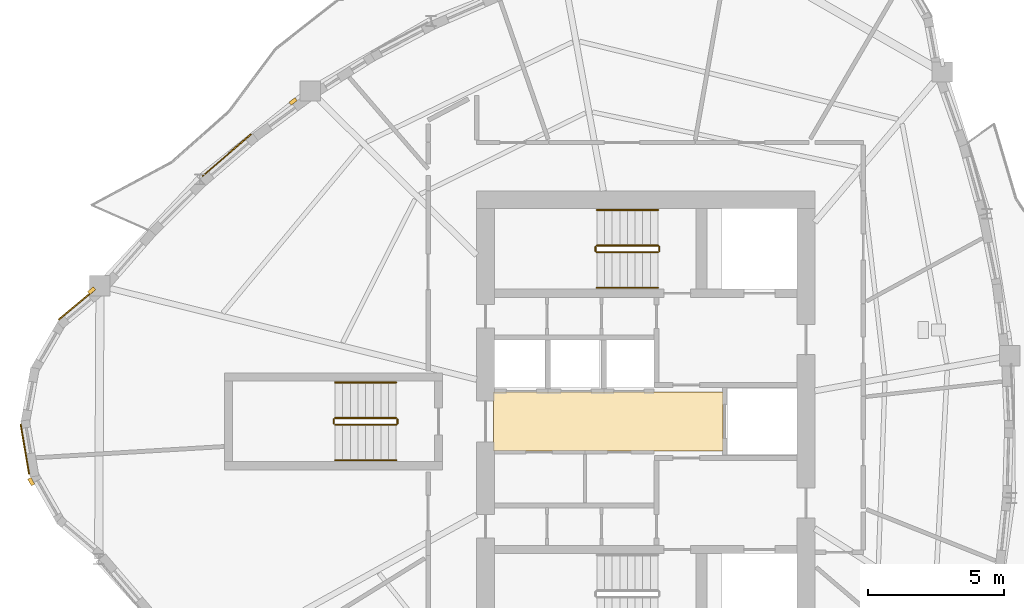
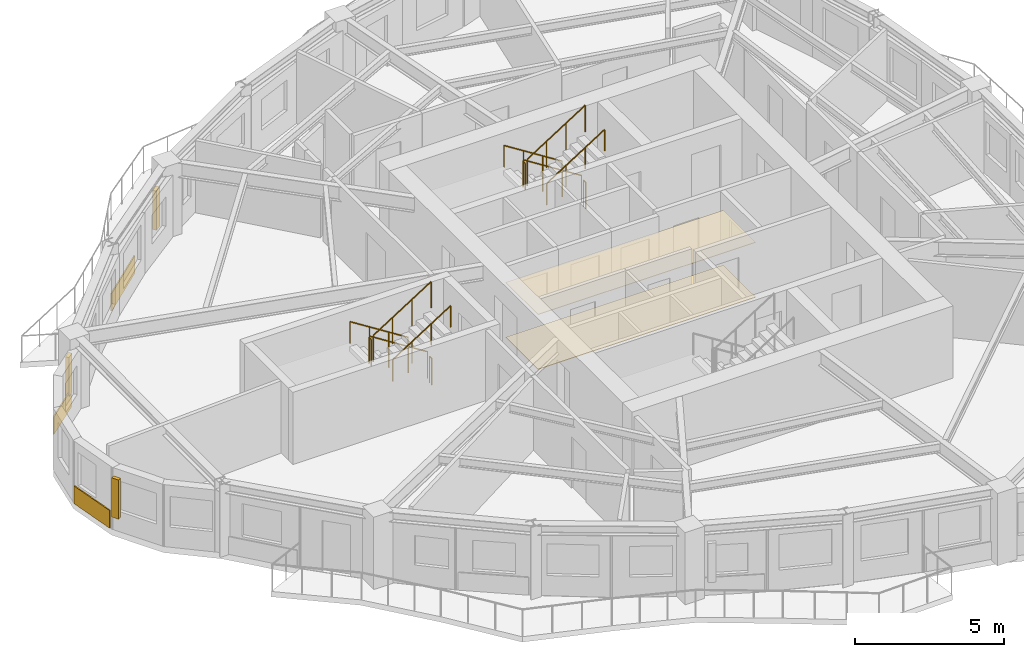
# One storey, part 10 of 12: 12 railings, 5 coverings, 3 shading devices.
"""IFC4 building model written with IfcOpenShell, lengths in metres."""

from ifc_helpers import new_model, si_unit, direction, frame, origin, origin_2d, place, context, subcontext, project, spatial, polyline, rectangle, circle, outline, extrude, source, transform, mapped, material, layer, layer_set, type_object, element, save


model = new_model("IFC4")

# Units and contexts
model_context = context("Model", 3, precision=1e-05, world=origin(), true_north=direction((0.0, 1.0)))
body_context = subcontext(model_context, "Body", "Model", "MODEL_VIEW")
ifc_project = project(units=[si_unit("LENGTHUNIT", "METRE"), si_unit("AREAUNIT", "SQUARE_METRE"), si_unit("VOLUMEUNIT", "CUBIC_METRE"), si_unit("PLANEANGLEUNIT", "RADIAN"), si_unit("MASSUNIT", "GRAM", prefix="KILO")], contexts=[model_context])

# Site, building, storey
site_placement = place(None, origin())
site = spatial("IfcSite", under=ifc_project, at=site_placement, CompositionType="ELEMENT")
building_placement = place(site_placement, origin())
building = spatial("IfcBuilding", under=site, at=building_placement, Name="Qafzar Sky-Pleat Residences", CompositionType="ELEMENT")
storey_placement = place(building_placement, frame((0.0, 0.0, 181.0)))
storey = spatial("IfcBuildingStorey", under=building, at=storey_placement, Name="L54", CompositionType="ELEMENT", Elevation=181.0)

# Coverings
ifc_material_1 = material(Name="Perforated acoustic gypsum board ceiling")
ifc_layer_1 = layer(ifc_material_1, 0.02001953125)
ifc_layer_set_1 = layer_set([ifc_layer_1], Name="Perforated acoustic gypsum board ceiling")
covering_type_1 = type_object("IfcCoveringType", Name="COV-CEIL-ACOUSTIC", PredefinedType="CEILING", material=ifc_layer_set_1)
covering_1_placement = place(storey_placement, frame((0.0, 0.0, 2.239990234375)))
element("IfcCovering", 1, at=covering_1_placement, inside=storey, type_object=covering_type_1, Name="L54 Passenger Lift Lobby Acoustic Ceiling", PredefinedType="CEILING", context=body_context, shape_type="SweptSolid", body=[
    extrude(outline(polyline([(33.179931640625, 24.919921875), (24.77001953125, 24.919921875), (24.77001953125, 27.080078125), (33.179931640625, 27.080078125), (33.179931640625, 24.919921875)])), origin(), (0.0, 0.0, 1.0), 0.02001953125),
])
ifc_material_2 = material(Name="Honed porcelain and Riyadh stone tile flooring", Category="masonry")
ifc_layer_2 = layer(ifc_material_2, 0.02001953125)
ifc_layer_set_2 = layer_set([ifc_layer_2], Name="Honed porcelain and Riyadh stone tile flooring")
covering_type_2 = type_object("IfcCoveringType", Name="COV-FLR-PORCELAIN", PredefinedType="FLOORING", material=ifc_layer_set_2)
covering_2_placement = place(storey_placement, origin())
element("IfcCovering", 2, at=covering_2_placement, inside=storey, type_object=covering_type_2, Name="L54 Passenger Lift Lobby Honed Stone Flooring", PredefinedType="FLOORING", context=body_context, shape_type="SweptSolid", body=[
    extrude(outline(polyline([(33.179931640625, 24.919921875), (24.77001953125, 24.919921875), (24.77001953125, 27.080078125), (33.179931640625, 27.080078125), (33.179931640625, 24.919921875)])), origin(), (0.0, 0.0, 1.0), 0.02001953125),
])

# Shading devices
ifc_material_3 = material(Name="Honed Riyadh limestone solar fin", Category="masonry")
ifc_layer_3 = layer(ifc_material_3, 0.139892578125)
ifc_layer_set_3 = layer_set([ifc_layer_3], Name="Honed Riyadh limestone solar fin")
shading_device_type = type_object("IfcShadingDeviceType", Name="SHD-FIN-STONE", PredefinedType="SHUTTER", material=ifc_layer_set_3)
shared_shape_1 = source(origin(), body_context, "Body", "SweptSolid", [
    extrude(rectangle(XDim=0.139892578125, YDim=0.280029296875, at=origin_2d()), origin(), (0.0, 0.0, 1.0), 1.60009765625),
])
for number, where, z_axis, x_axis, name in (
    (3, (10.03271484375, 30.7958984375, 0.599853515625), (0.0, 0.0, 1.0), (-0.642173926269, 0.766558966042, 0.0), "L54 Limestone Solar Fin 1"),
    (4, (7.816162109375, 23.791748046875, 0.599853515625), (0.0, 0.0, 1.0), (-0.869657559867, -0.493655475576, 0.0), "L54 Limestone Solar Fin 5"),
    (5, (17.419921875, 37.733154296875, 0.599853515625), (0.0, 0.0, 1.0), (-0.594869562562, 0.803822246232, 0.0), "L54 Limestone Solar Fin 45"),
):
    element("IfcShadingDevice", number, at=place(storey_placement, frame(where, z_axis=z_axis, x_axis=x_axis)), inside=storey, type_object=shading_device_type, Name=name, PredefinedType="SHUTTER", context=body_context, shape_type="MappedRepresentation", body=[
        mapped(shared_shape_1, transform((0.0, 0.0, 0.0), x_axis=(1.0, 0.0, 0.0), y_axis=(0.0, 1.0, 0.0), z_axis=(0.0, 0.0, 1.0), scale=1.0)),
    ])

# Coverings
ifc_material_4 = material(Name="Honed Riyadh Tuwaiq limestone cladding", Category="masonry")
ifc_layer_4 = layer(ifc_material_4, 0.044921875)
ifc_layer_set_4 = layer_set([ifc_layer_4], Name="Honed Riyadh Tuwaiq limestone cladding")
covering_type_3 = type_object("IfcCoveringType", Name="COV-CLAD-STONE", PredefinedType="CLADDING", material=ifc_layer_set_4)
shared_shape_2 = source(origin(), body_context, "Body", "SweptSolid", [
    extrude(rectangle(XDim=1.873046875, YDim=0.044921875, at=origin_2d()), origin(), (0.0, 0.0, 1.0), 0.719970703125),
])
covering_3_placement = place(storey_placement, frame((7.5849609375, 24.980224609375, 0.02001953125), z_axis=(0.0, 0.0, 1.0), x_axis=(0.168075544172, -0.985774117864, 0.0)))
element("IfcCovering", 6, at=covering_3_placement, inside=storey, type_object=covering_type_3, Name="L54 Riyadh Limestone Spandrel Cladding 4", PredefinedType="CLADDING", context=body_context, shape_type="MappedRepresentation", body=[
    mapped(shared_shape_2, transform((0.0, 0.0, 0.0), x_axis=(1.0, 0.0, 0.0), y_axis=(0.0, 1.0, 0.0), z_axis=(0.0, 0.0, 1.0), scale=1.0)),
])
shared_shape_3 = source(origin(), body_context, "Body", "SweptSolid", [
    extrude(rectangle(XDim=1.690185546875, YDim=0.044921875, at=origin_2d()), origin(), (0.0, 0.0, 1.0), 0.719970703125),
])
covering_4_placement = place(storey_placement, frame((9.477783203125, 30.27490234375, 0.02001953125), z_axis=(0.0, 0.0, 1.0), x_axis=(-0.766555899937, -0.642177586242, 0.0)))
element("IfcCovering", 7, at=covering_4_placement, inside=storey, type_object=covering_type_3, Name="L54 Riyadh Limestone Spandrel Cladding 1", PredefinedType="CLADDING", context=body_context, shape_type="MappedRepresentation", body=[
    mapped(shared_shape_3, transform((0.0, 0.0, 0.0), x_axis=(1.0, 0.0, 0.0), y_axis=(0.0, 1.0, 0.0), z_axis=(0.0, 0.0, 1.0), scale=1.0)),
])
shared_shape_4 = source(origin(), body_context, "Body", "SweptSolid", [
    extrude(rectangle(XDim=2.363525390625, YDim=0.044921875, at=origin_2d()), origin(), (0.0, 0.0, 1.0), 0.719970703125),
])
covering_5_placement = place(storey_placement, frame((14.992919921875, 35.765625, 0.02001953125), z_axis=(0.0, 0.0, 1.0), x_axis=(-0.757487878678, -0.652849227354, 0.0)))
element("IfcCovering", 8, at=covering_5_placement, inside=storey, type_object=covering_type_3, Name="L54 Riyadh Limestone Spandrel Cladding 46", PredefinedType="CLADDING", context=body_context, shape_type="MappedRepresentation", body=[
    mapped(shared_shape_4, transform((0.0, 0.0, 0.0), x_axis=(1.0, 0.0, 0.0), y_axis=(0.0, 1.0, 0.0), z_axis=(0.0, 0.0, 1.0), scale=1.0)),
])

# Railings
ifc_material_5 = material(Name="Painted Steel S355 stair guardrail", Category="steel")
railing_type_1 = type_object("IfcRailingType", Name="RAIL-STAIR-GUARD", PredefinedType="GUARDRAIL", material=ifc_material_5)
shared_shape_5 = source(origin(), body_context, "Body", "SweptSolid", [
    extrude(circle(Radius=0.02392578125, at=origin_2d()), frame((0.0, 0.0, 1.076171875), z_axis=(0.0, -1.0, 0.0), x_axis=(1.0, 0.0, 0.0)), (0.0, 0.0, 1.0), 0.14990234375),
    extrude(circle(Radius=0.02099609375, at=origin_2d()), origin(), (0.0, 0.0, 1.0), 1.052001953125),
    extrude(circle(Radius=0.02099609375, at=origin_2d()), frame((0.0, -0.14990234375, 0.0)), (0.0, 0.0, 1.0), 1.052001953125),
])
for number, where, name in (
    (9, (28.510009765625, 32.39990234375, 1.60009765625), "L54 ST2 stair guard 2"),
    (10, (30.85009765625, 32.39990234375, 0.0), "L54 ST2 stair guard 4"),
    (11, (18.909912109375, 26.074951171875, 1.60009765625), "L54 ST3 stair guard 2"),
    (12, (21.25, 26.074951171875, 0.0), "L54 ST3 stair guard 4"),
):
    element("IfcRailing", number, at=place(storey_placement, frame(where)), inside=storey, type_object=railing_type_1, Name=name, PredefinedType="GUARDRAIL", context=body_context, shape_type="MappedRepresentation", body=[
        mapped(shared_shape_5, transform((0.0, 0.0, 0.0), x_axis=(1.0, 0.0, 0.0), y_axis=(0.0, 1.0, 0.0), z_axis=(0.0, 0.0, 1.0), scale=1.0)),
    ])
shared_shape_6 = source(origin(), body_context, "Body", "SweptSolid", [
    extrude(circle(Radius=0.02392578125, at=origin_2d()), frame((0.0, 0.0, 1.076171875), z_axis=(0.8442293374, 0.0, 0.53598211339), x_axis=(0.0, 1.0, 0.0)), (0.0, 0.0, 1.0), 2.6533203125),
    extrude(circle(Radius=0.02099609375, at=origin_2d()), origin(), (0.0, 0.0, 1.0), 1.052001953125),
    extrude(circle(Radius=0.02099609375, at=origin_2d()), frame((0.74658203125, 0.0, 0.47412109375)), (0.0, 0.0, 1.0), 1.052001953125),
    extrude(circle(Radius=0.02099609375, at=origin_2d()), frame((1.493408203125, 0.0, 0.947998046875)), (0.0, 0.0, 1.0), 1.052001953125),
    extrude(circle(Radius=0.02099609375, at=origin_2d()), frame((2.239990234375, 0.0, 1.422119140625)), (0.0, 0.0, 1.0), 1.052001953125),
])
for number, where, name in (
    (13, (28.56005859375, 32.199951171875, 1.77783203125), "L54 ST2 stair guard 3"),
    (14, (18.9599609375, 25.875, 1.77783203125), "L54 ST3 stair guard 3"),
):
    element("IfcRailing", number, at=place(storey_placement, frame(where)), inside=storey, type_object=railing_type_1, Name=name, PredefinedType="GUARDRAIL", context=body_context, shape_type="MappedRepresentation", body=[
        mapped(shared_shape_6, transform((0.0, 0.0, 0.0), x_axis=(1.0, 0.0, 0.0), y_axis=(0.0, 1.0, 0.0), z_axis=(0.0, 0.0, 1.0), scale=1.0)),
    ])
ifc_material_6 = material(Name="Brushed stainless steel handrail", Category="steel")
railing_type_2 = type_object("IfcRailingType", Name="RAIL-STAIR-HAND", PredefinedType="HANDRAIL", material=ifc_material_6)
shared_shape_7 = source(origin(), body_context, "Body", "SweptSolid", [
    extrude(circle(Radius=0.02392578125, at=origin_2d()), frame((0.0, 0.0, 0.8759765625), z_axis=(0.8442293374, 0.0, 0.53598211339), x_axis=(0.0, 1.0, 0.0)), (0.0, 0.0, 1.0), 2.6533203125),
    extrude(circle(Radius=0.02099609375, at=origin_2d()), origin(), (0.0, 0.0, 1.0), 0.851806640625),
    extrude(circle(Radius=0.02099609375, at=origin_2d()), frame((0.74658203125, 0.0, 0.47412109375)), (0.0, 0.0, 1.0), 0.851806640625),
    extrude(circle(Radius=0.02099609375, at=origin_2d()), frame((1.493408203125, 0.0, 0.947998046875)), (0.0, 0.0, 1.0), 0.851806640625),
    extrude(circle(Radius=0.02099609375, at=origin_2d()), frame((2.239990234375, 0.0, 1.422119140625)), (0.0, 0.0, 1.0), 0.851806640625),
])
for number, where, name in (
    (15, (28.56005859375, 30.89990234375, 1.77783203125), "L54 ST2 stair handrail 2"),
    (16, (18.9599609375, 24.574951171875, 1.77783203125), "L54 ST3 stair handrail 2"),
):
    element("IfcRailing", number, at=place(storey_placement, frame(where)), inside=storey, type_object=railing_type_2, Name=name, PredefinedType="HANDRAIL", context=body_context, shape_type="MappedRepresentation", body=[
        mapped(shared_shape_7, transform((0.0, 0.0, 0.0), x_axis=(1.0, 0.0, 0.0), y_axis=(0.0, 1.0, 0.0), z_axis=(0.0, 0.0, 1.0), scale=1.0)),
    ])
shared_shape_8 = source(origin(), body_context, "Body", "SweptSolid", [
    extrude(circle(Radius=0.02392578125, at=origin_2d()), frame((0.0, 0.0, 1.076171875), z_axis=(-0.84418770128, 0.0, 0.536047689118), x_axis=(0.0, -1.0, 0.0)), (0.0, 0.0, 1.0), 2.6533203125),
    extrude(circle(Radius=0.02099609375, at=origin_2d()), origin(), (0.0, 0.0, 1.0), 1.052001953125),
    extrude(circle(Radius=0.02099609375, at=origin_2d()), frame((-0.74658203125, 0.0, 0.47412109375)), (0.0, 0.0, 1.0), 1.052001953125),
    extrude(circle(Radius=0.02099609375, at=origin_2d()), frame((-1.493408203125, 0.0, 0.9482421875)), (0.0, 0.0, 1.0), 1.052001953125),
    extrude(circle(Radius=0.02099609375, at=origin_2d()), frame((-2.239990234375, 0.0, 1.42236328125)), (0.0, 0.0, 1.0), 1.052001953125),
])
for number, where, name in (
    (17, (30.800048828125, 32.449951171875, 0.177734375), "L54 ST2 stair guard 1"),
    (18, (21.199951171875, 26.125, 0.177734375), "L54 ST3 stair guard 1"),
):
    element("IfcRailing", number, at=place(storey_placement, frame(where)), inside=storey, type_object=railing_type_1, Name=name, PredefinedType="GUARDRAIL", context=body_context, shape_type="MappedRepresentation", body=[
        mapped(shared_shape_8, transform((0.0, 0.0, 0.0), x_axis=(1.0, 0.0, 0.0), y_axis=(0.0, 1.0, 0.0), z_axis=(0.0, 0.0, 1.0), scale=1.0)),
    ])
shared_shape_9 = source(origin(), body_context, "Body", "SweptSolid", [
    extrude(circle(Radius=0.02392578125, at=origin_2d()), frame((0.0, 0.0, 0.8759765625), z_axis=(-0.84418770128, 0.0, 0.536047689118), x_axis=(0.0, -1.0, 0.0)), (0.0, 0.0, 1.0), 2.6533203125),
    extrude(circle(Radius=0.02099609375, at=origin_2d()), origin(), (0.0, 0.0, 1.0), 0.851806640625),
    extrude(circle(Radius=0.02099609375, at=origin_2d()), frame((-0.74658203125, 0.0, 0.47412109375)), (0.0, 0.0, 1.0), 0.851806640625),
    extrude(circle(Radius=0.02099609375, at=origin_2d()), frame((-1.493408203125, 0.0, 0.9482421875)), (0.0, 0.0, 1.0), 0.851806640625),
    extrude(circle(Radius=0.02099609375, at=origin_2d()), frame((-2.239990234375, 0.0, 1.42236328125)), (0.0, 0.0, 1.0), 0.851806640625),
])
for number, where, name in (
    (19, (30.800048828125, 33.75, 0.177734375), "L54 ST2 stair handrail 1"),
    (20, (21.199951171875, 27.425048828125, 0.177734375), "L54 ST3 stair handrail 1"),
):
    element("IfcRailing", number, at=place(storey_placement, frame(where)), inside=storey, type_object=railing_type_2, Name=name, PredefinedType="HANDRAIL", context=body_context, shape_type="MappedRepresentation", body=[
        mapped(shared_shape_9, transform((0.0, 0.0, 0.0), x_axis=(1.0, 0.0, 0.0), y_axis=(0.0, 1.0, 0.0), z_axis=(0.0, 0.0, 1.0), scale=1.0)),
    ])

save(model, "model.ifc")
